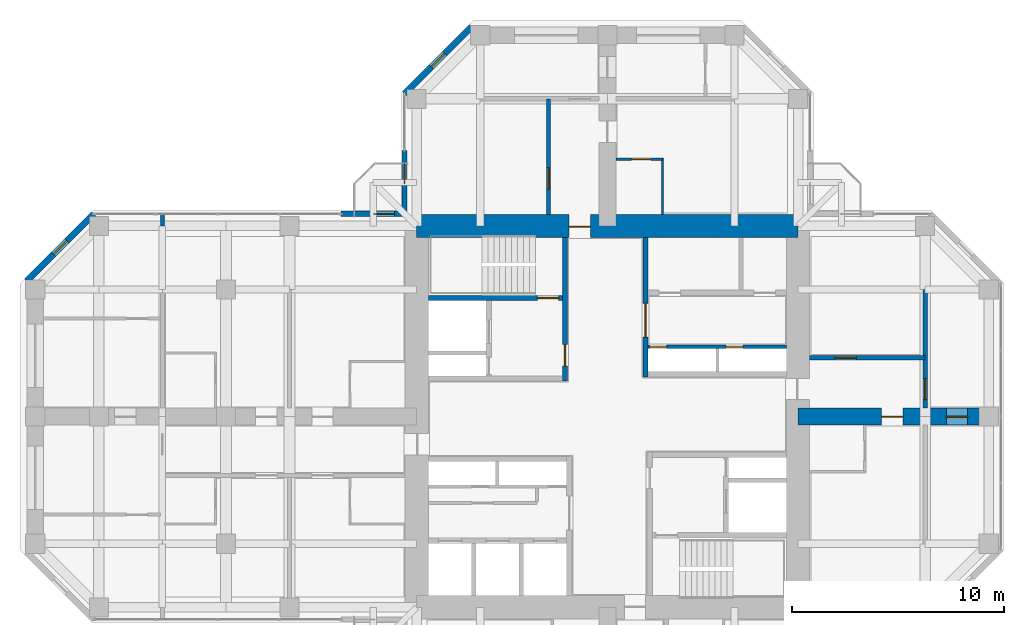
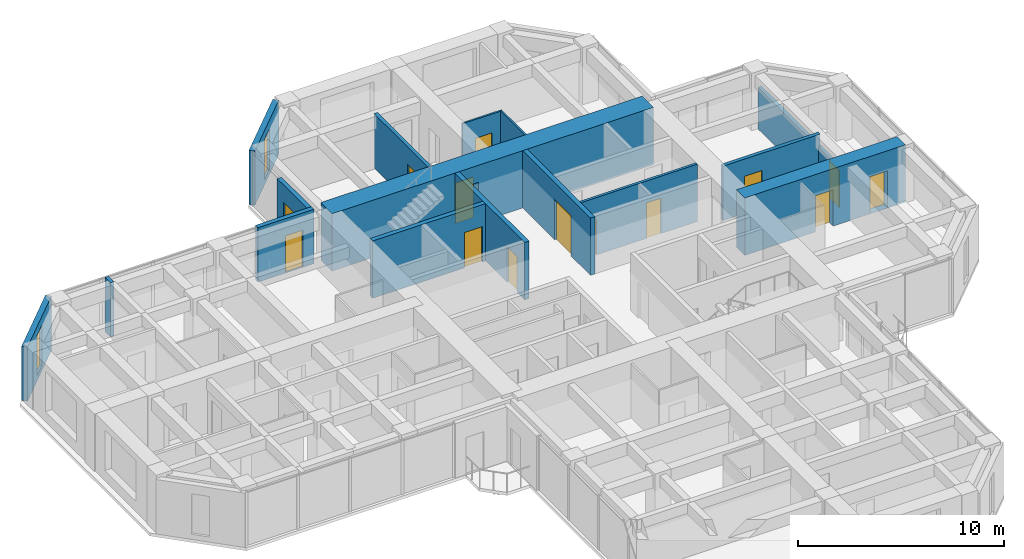
# One storey, part 11 of 13: 16 walls, 14 doors, 2 windows, 16 openings.
"""IFC4 building model written with IfcOpenShell, lengths in metres."""

import ifcopenshell
import ifcopenshell.guid

model = None  # the IFC model being written
_history = None  # IfcOwnerHistory: only IFC2X3 demands one
_inside = {}  # id of a spatial element -> (the spatial element, [elements in it])
_under = {}  # id of a project, library or spatial element -> (it, [spatial elements below it])
_declared = {}  # id of a project -> (the project, [libraries it declares])
_typed = {}  # id of a type object -> (the type object, [elements of that type])
_made_of = {}  # id of a material, layer set ... -> (it, [elements and type objects made of it])


def new_model(schema):
    """Start an empty IFC model of exactly this schema.

    Asked for "IFC4X3", IfcOpenShell would pick the latest addendum, in which some entities
    have other attributes; the version numbers below select the first issue.
    IFC2X3 requires an IfcOwnerHistory on every rooted entity: one is made here for all.
    """
    global model, _history
    if schema == "IFC4X3":
        model = ifcopenshell.file(schema_version=(4, 3, 0, 0))
    else:
        model = ifcopenshell.file(schema=schema)
    _inside.clear()
    _under.clear()
    _declared.clear()
    _typed.clear()
    _made_of.clear()
    _history = None
    if model.schema == "IFC2X3":
        org = make("IfcOrganization", Name="unknown")
        user = make(
            "IfcPersonAndOrganization",
            ThePerson=make("IfcPerson", FamilyName="unknown"),
            TheOrganization=org,
        )
        app = make(
            "IfcApplication",
            ApplicationDeveloper=org,
            Version="unknown",
            ApplicationFullName="unknown",
            ApplicationIdentifier="unknown",
        )
        _history = make(
            "IfcOwnerHistory",
            OwningUser=user,
            OwningApplication=app,
            ChangeAction="ADDED",
            CreationDate=0,
        )
    return model


def make(cls, **values):
    """One entity of the class cls with the attributes given. An attribute that is None is left unset."""
    return model.create_entity(
        cls, **{name: value for name, value in values.items() if value is not None}
    )


def rooted(cls, **values):
    """An entity with a GlobalId (a new one), such as an element, a storey or a relation."""
    return make(cls, GlobalId=ifcopenshell.guid.new(), OwnerHistory=_history, **values)


def si_unit(unit_type, name, prefix=None):
    """IfcSIUnit, for example si_unit("LENGTHUNIT", "METRE", prefix="MILLI")."""
    return make("IfcSIUnit", UnitType=unit_type, Prefix=prefix, Name=name)


def assignment(units):
    """IfcUnitAssignment: the units of a project."""
    return None if units is None else make("IfcUnitAssignment", Units=units)


def point(xyz):
    """IfcCartesianPoint."""
    return None if xyz is None else make("IfcCartesianPoint", Coordinates=xyz)


def direction(xyz):
    """IfcDirection."""
    return None if xyz is None else make("IfcDirection", DirectionRatios=xyz)


def frame(location, z_axis=None, x_axis=None):
    """IfcAxis2Placement3D, a coordinate frame: its origin and axes. An axis left out is left unset."""
    return make(
        "IfcAxis2Placement3D",
        Location=point(location),
        Axis=direction(z_axis),
        RefDirection=direction(x_axis),
    )


def frame_2d(location, x_axis=None):
    """IfcAxis2Placement2D, a coordinate frame in the plane: its origin and x axis."""
    return make(
        "IfcAxis2Placement2D", Location=point(location), RefDirection=direction(x_axis)
    )


def origin():
    """The frame at (0, 0, 0) with its axes left unset."""
    return frame((0.0, 0.0, 0.0))


def place(relative_to, where):
    """IfcLocalPlacement: puts the frame where relative to a parent placement (None: the world)."""
    return make(
        "IfcLocalPlacement", PlacementRelTo=relative_to, RelativePlacement=where
    )


def context(
    kind, dimensions, precision=None, world=None, true_north=None, identifier=None
):
    """IfcGeometricRepresentationContext, for example the 3D "Model" context."""
    return make(
        "IfcGeometricRepresentationContext",
        ContextIdentifier=identifier,
        ContextType=kind,
        CoordinateSpaceDimension=dimensions,
        Precision=precision,
        WorldCoordinateSystem=world,
        TrueNorth=true_north,
    )


def subcontext(parent, identifier, kind, view, scale=None):
    """IfcGeometricRepresentationSubContext, for example "Body" below "Model"."""
    return make(
        "IfcGeometricRepresentationSubContext",
        ContextIdentifier=identifier,
        ContextType=kind,
        ParentContext=parent,
        TargetScale=scale,
        TargetView=view,
    )


def project(units=None, contexts=None):
    """IfcProject with its units and contexts."""
    return rooted(
        "IfcProject",
        Name="project",
        RepresentationContexts=contexts,
        UnitsInContext=assignment(units),
    )


def spatial(cls, under=None, at=None, **own):
    """A site, building, storey or space (cls), placed at a placement, below another one or the project."""
    s = rooted(cls, ObjectPlacement=at, **own)
    if under is not None:
        _under.setdefault(under.id(), (under, []))[1].append(s)
    return s


def profile(cls, at=None, kind="AREA", **sizes):
    """A parametric profile (cls). Its sizes go by their IFC names, for example OverallWidth=200.0."""
    return make(cls, ProfileType=kind, Position=at, **sizes)


def rectangle(**sizes):
    """IfcRectangleProfileDef."""
    return profile("IfcRectangleProfileDef", **sizes)


def hollow_rectangle(**sizes):
    """IfcRectangleHollowProfileDef."""
    return profile("IfcRectangleHollowProfileDef", **sizes)


def extrude(swept, where, along, depth):
    """IfcExtrudedAreaSolid: the profile swept, set in the frame where, extruded along a direction by depth."""
    return make(
        "IfcExtrudedAreaSolid",
        SweptArea=swept,
        Position=where,
        ExtrudedDirection=direction(along),
        Depth=depth,
    )


def shape(context_of_items, identifier, shape_type, items):
    """IfcShapeRepresentation: the items that make up one representation, for example the "Body"."""
    return make(
        "IfcShapeRepresentation",
        ContextOfItems=context_of_items,
        RepresentationIdentifier=identifier,
        RepresentationType=shape_type,
        Items=items,
    )


def material(Name=None, Category=None):
    """IfcMaterial."""
    return make("IfcMaterial", Name=Name, Category=Category)


def layer(
    of_material, thickness, ventilated=None, Name=None, Category=None, Priority=None
):
    """IfcMaterialLayer: one layer of a wall or slab, of a material (None: an air gap)."""
    return make(
        "IfcMaterialLayer",
        Material=of_material,
        LayerThickness=thickness,
        IsVentilated=ventilated,
        Name=Name,
        Category=Category,
        Priority=Priority,
    )


def layer_set(layers, Name=None):
    """IfcMaterialLayerSet."""
    return make("IfcMaterialLayerSet", MaterialLayers=layers, LayerSetName=Name)


def constituent(of_material, Name=None, Category=None, fraction=None):
    """IfcMaterialConstituent: one of the materials an element consists of."""
    return make(
        "IfcMaterialConstituent",
        Name=Name,
        Material=of_material,
        Fraction=fraction,
        Category=Category,
    )


def constituent_set(constituents=None, Name=None):
    """IfcMaterialConstituentSet."""
    return make(
        "IfcMaterialConstituentSet", Name=Name, MaterialConstituents=constituents
    )


def made_of(thing, what):
    """Note that an element or type object is made of a material, layer set ...; save() writes the relation."""
    if what is not None:
        _made_of.setdefault(what.id(), (what, []))[1].append(thing)
    return thing


def type_object(cls, material=None, **own):
    """A type object (cls), such as IfcWallType, which elements share."""
    return made_of(rooted(cls, **own), material)


def element(
    cls,
    number,
    at=None,
    inside=None,
    cuts=None,
    type_object=None,
    material=None,
    context=None,
    identifier="Body",
    shape_type=None,
    held_by="IfcProductDefinitionShape",
    body=None,
    shapes=None,
    **own,
):
    """One element of the class cls, such as IfcWall. Its Tag is "e" and its number.

    at: its placement. inside: the storey or other place that contains it. cuts: it is an
    opening in that element (IfcRelVoidsElement). A single representation is given by context,
    identifier, shape_type and body (its items); several are given by shapes. held_by: the class
    of the entity that holds the representations. save() writes the other relations.
    """
    e = rooted(cls, Tag="e%d" % number, ObjectPlacement=at, **own)
    if body is not None:
        shapes = [shape(context, identifier, shape_type, body)]
    if shapes is not None:
        e.Representation = make(held_by, Representations=shapes)
    if inside is not None:
        _inside.setdefault(inside.id(), (inside, []))[1].append(e)
    if cuts is not None:
        rooted(
            "IfcRelVoidsElement", RelatingBuildingElement=cuts, RelatedOpeningElement=e
        )
    if type_object is not None:
        _typed.setdefault(type_object.id(), (type_object, []))[1].append(e)
    return made_of(e, material)


def fill(opening, filler):
    """IfcRelFillsElement: the door or window that sits in an opening."""
    return rooted(
        "IfcRelFillsElement",
        RelatingOpeningElement=opening,
        RelatedBuildingElement=filler,
    )


def aggregate(whole, parts):
    """IfcRelAggregates: a whole, such as a stair, and the parts it consists of."""
    return rooted("IfcRelAggregates", RelatingObject=whole, RelatedObjects=parts)


def save(model, path):
    """Write the relations noted so far, then the file.

    IfcRelAggregates (storeys below a building ...), IfcRelContainedInSpatialStructure (elements
    in a storey), IfcRelDefinesByType, IfcRelAssociatesMaterial and IfcRelDeclares: one each for
    every whole, place, type object, material and project.
    """
    for whole, parts in _under.values():
        aggregate(whole, parts)
    for where, things in _inside.values():
        rooted(
            "IfcRelContainedInSpatialStructure",
            RelatedElements=things,
            RelatingStructure=where,
        )
    for kind, things in _typed.values():
        rooted("IfcRelDefinesByType", RelatedObjects=things, RelatingType=kind)
    for what, things in _made_of.values():
        rooted("IfcRelAssociatesMaterial", RelatedObjects=things, RelatingMaterial=what)
    for by, libraries in _declared.values():
        rooted("IfcRelDeclares", RelatingContext=by, RelatedDefinitions=libraries)
    model.write(path)


model = new_model("IFC4")

# Units and contexts
model_context = context("Model", 3, precision=1e-05, world=origin(), true_north=direction((0.0, 1.0)))
body_context = subcontext(model_context, "Body", "Model", "MODEL_VIEW")
ifc_project = project(units=[si_unit("LENGTHUNIT", "METRE"), si_unit("AREAUNIT", "SQUARE_METRE"), si_unit("VOLUMEUNIT", "CUBIC_METRE"), si_unit("PLANEANGLEUNIT", "RADIAN"), si_unit("MASSUNIT", "GRAM", prefix="KILO")], contexts=[model_context])

# Site, building, storey
site_placement = place(None, origin())
site = spatial("IfcSite", under=ifc_project, at=site_placement, CompositionType="ELEMENT")
building_placement = place(site_placement, origin())
building = spatial("IfcBuilding", under=site, at=building_placement, Name="Torre Cruceta", CompositionType="ELEMENT")
storey_placement = place(building_placement, frame((0.0, 0.0, 189.89990234375)))
storey = spatial("IfcBuildingStorey", under=building, at=storey_placement, Name="L47", CompositionType="ELEMENT", Elevation=189.89990234375)

# Wall
ifc_material_1 = material(Name="Water-resistant plasterboard on steel studs", Category="steel")
ifc_layer_1 = layer(ifc_material_1, 0.10009765625)
ifc_layer_set_1 = layer_set([ifc_layer_1], Name="Water-resistant plasterboard on steel studs")
wall_type_1 = type_object("IfcWallType", Name="BATHROOM WALL 100", PredefinedType="PARTITIONING", material=ifc_layer_set_1)
wall_1_placement = place(storey_placement, frame((2.60009765625, 9.550048828125, 0.0), z_axis=(0.0, 0.0, 1.0), x_axis=(0.0, 1.0, 0.0)))
element("IfcWall", 1, at=wall_1_placement, inside=storey, type_object=wall_type_1, Name="PT4 L47-N-U1RBB", PredefinedType="PARTITIONING", context=body_context, shape_type="SweptSolid", body=[
    extrude(rectangle(XDim=2.64990234375, YDim=0.10009765625, at=frame_2d((1.324951171875, 0.0))), origin(), (0.0, 0.0, 1.0), 3.22021484375),
])

# Wall, opening, door
wall_2_placement = place(storey_placement, frame((2.60009765625, 12.14990234375, 0.0), z_axis=(0.0, 0.0, 1.0), x_axis=(-1.0, 0.0, 0.0)))
wall_2 = element("IfcWall", 2, at=wall_2_placement, inside=storey, type_object=wall_type_1, Name="PT4 L47-N-U1RBS", PredefinedType="PARTITIONING", context=body_context, shape_type="SweptSolid", body=[
    extrude(rectangle(XDim=2.2001953125, YDim=0.10009765625, at=frame_2d((1.10009765625, 0.0))), origin(), (0.0, 0.0, 1.0), 3.22021484375),
])
opening_1_placement = place(wall_2_placement, frame((0.550048828125, 0.0, 0.0)))
opening_1 = element("IfcOpeningElement", 3, at=opening_1_placement, cuts=wall_2, Name="Opening D7", PredefinedType="OPENING", context=body_context, shape_type="SweptSolid", body=[
    extrude(rectangle(XDim=0.89990234375, YDim=2.10009765625, at=frame_2d((0.449951171875, 1.050048828125))), frame((0.0, 0.06005859375, 0.0), z_axis=(0.0, -1.0, 0.0), x_axis=(1.0, 0.0, 0.0)), (0.0, 0.0, 1.0), 0.1201171875),
])
ifc_material_2 = material(Name="Timber door", Category="wood")
door_type_1 = type_object("IfcDoorType", Name="BATHROOM DOOR 900X2100", OperationType="SINGLE_SWING_LEFT", PredefinedType="DOOR", material=ifc_material_2)
door_1_placement = place(opening_1_placement, origin())
door_1 = element("IfcDoor", 4, at=door_1_placement, inside=storey, type_object=door_type_1, Name="D7 L47-N-U1RBS-D1", OperationType="SINGLE_SWING_LEFT", OverallHeight=2.10009765625, OverallWidth=0.89990234375, PredefinedType="DOOR", context=body_context, shape_type="SweptSolid", body=[
    extrude(rectangle(XDim=0.89990234375, YDim=2.10009765625, at=frame_2d((0.449951171875, 1.050048828125))), frame((0.0, 0.02490234375, 0.0), z_axis=(0.0, -1.0, 0.0), x_axis=(1.0, 0.0, 0.0)), (0.0, 0.0, 1.0), 0.050048828125),
])
fill(opening_1, door_1)

ifc_material_3 = material(Name="Concrete G60 (fck 60 MPa)", Category="concrete")
ifc_layer_2 = layer(ifc_material_3, 0.25)
ifc_layer_set_2 = layer_set([ifc_layer_2], Name="Concrete G60 (fck 60 MPa)")
wall_type_2 = type_object("IfcWallType", Name="CORE INNER WALL 250 G60", PredefinedType="SHEAR", material=ifc_layer_set_2)
wall_3_placement = place(storey_placement, frame((1.800048828125, 1.875, 0.0), z_axis=(0.0, 0.0, 1.0), x_axis=(0.0, 1.0, 0.0)))
wall_3 = element("IfcWall", 5, at=wall_3_placement, inside=storey, type_object=wall_type_2, Name="CW4 L47 NE-CU", PredefinedType="SHEAR", context=body_context, shape_type="SweptSolid", body=[
    extrude(rectangle(XDim=6.574951171875, YDim=0.25, at=frame_2d((3.28759765625, 0.0))), origin(), (0.0, 0.0, 1.0), 3.400146484375),
])
opening_2_placement = place(wall_3_placement, frame((1.875, 0.0, 0.0)))
opening_2 = element("IfcOpeningElement", 6, at=opening_2_placement, cuts=wall_3, Name="Opening D15", PredefinedType="OPENING", context=body_context, shape_type="SweptSolid", body=[
    extrude(rectangle(XDim=1.60009765625, YDim=2.39990234375, at=frame_2d((0.800048828125, 1.199951171875))), frame((0.0, 0.135009765625, 0.0), z_axis=(0.0, -1.0, 0.0), x_axis=(1.0, 0.0, 0.0)), (0.0, 0.0, 1.0), 0.27001953125),
])
ifc_material_4 = material(Name="Steel DX51D", Category="steel")
ifc_constituent_1 = constituent(ifc_material_4, Name="Leaf and frame")
ifc_material_5 = material(Name="Polyester powder coating", Category="paint")
ifc_constituent_2 = constituent(ifc_material_5, Name="Finish")
ifc_constituent_set_1 = constituent_set(constituents=[ifc_constituent_1, ifc_constituent_2], Name="Steel fire door")
door_type_2 = type_object("IfcDoorType", Name="CORE ROOM DOUBLE DOOR 1600X2400", OperationType="DOUBLE_DOOR_SINGLE_SWING", PredefinedType="DOOR", material=ifc_constituent_set_1)
door_2_placement = place(opening_2_placement, frame((1.60009765625, 0.0, 0.0), z_axis=(0.0, 0.0, 1.0), x_axis=(-1.0, 0.0, 0.0)))
door_2 = element("IfcDoor", 7, at=door_2_placement, inside=storey, type_object=door_type_2, Name="D15 L47 NE-LOBBY", OperationType="DOUBLE_DOOR_SINGLE_SWING", OverallHeight=2.39990234375, OverallWidth=1.60009765625, PredefinedType="DOOR", context=body_context, shape_type="SweptSolid", body=[
    extrude(rectangle(XDim=1.60009765625, YDim=2.39990234375, at=frame_2d((0.800048828125, 1.199951171875))), frame((0.0, 0.025146484375, 0.0), z_axis=(0.0, -1.0, 0.0), x_axis=(1.0, 0.0, 0.0)), (0.0, 0.0, 1.0), 0.050048828125),
])
fill(opening_2, door_2)

wall_4_placement = place(storey_placement, frame((-2.0, 1.675048828125, 0.0), z_axis=(0.0, 0.0, 1.0), x_axis=(0.0, 1.0, 0.0)))
wall_4 = element("IfcWall", 8, at=wall_4_placement, inside=storey, type_object=wall_type_2, Name="CW4 L47 NW-CU", PredefinedType="SHEAR", context=body_context, shape_type="SweptSolid", body=[
    extrude(rectangle(XDim=6.77490234375, YDim=0.25, at=frame_2d((3.387451171875, 0.0))), origin(), (0.0, 0.0, 1.0), 3.400146484375),
])
opening_3_placement = place(wall_4_placement, frame((0.72509765625, 0.0, 0.0)))
opening_3 = element("IfcOpeningElement", 9, at=opening_3_placement, cuts=wall_4, Name="Opening D3", PredefinedType="OPENING", context=body_context, shape_type="SweptSolid", body=[
    extrude(rectangle(XDim=1.0, YDim=2.10009765625, at=frame_2d((0.5, 1.050048828125))), frame((0.0, 0.135009765625, 0.0), z_axis=(0.0, -1.0, 0.0), x_axis=(1.0, 0.0, 0.0)), (0.0, 0.0, 1.0), 0.27001953125),
])
ifc_material_6 = material(Name="Steel DX51D", Category="steel")
ifc_constituent_3 = constituent(ifc_material_6, Name="Leaf and frame")
ifc_material_7 = material(Name="Polyester powder coating", Category="paint")
ifc_constituent_4 = constituent(ifc_material_7, Name="Finish")
ifc_constituent_set_2 = constituent_set(constituents=[ifc_constituent_3, ifc_constituent_4], Name="Steel fire door")
door_type_3 = type_object("IfcDoorType", Name="FIRE DOOR 1000X2100", OperationType="SINGLE_SWING_LEFT", PredefinedType="DOOR", material=ifc_constituent_set_2)
door_3_placement = place(opening_3_placement, origin())
door_3 = element("IfcDoor", 10, at=door_3_placement, inside=storey, type_object=door_type_3, Name="D3 L47 NW-LOBBY", OperationType="SINGLE_SWING_LEFT", OverallHeight=2.10009765625, OverallWidth=1.0, PredefinedType="DOOR", context=body_context, shape_type="SweptSolid", body=[
    extrude(rectangle(XDim=1.0, YDim=2.10009765625, at=frame_2d((0.5, 1.050048828125))), frame((0.0, 0.02490234375, 0.0), z_axis=(0.0, -1.0, 0.0), x_axis=(1.0, 0.0, 0.0)), (0.0, 0.0, 1.0), 0.050048828125),
])
fill(opening_3, door_3)

wall_5_placement = place(storey_placement, frame((-2.125, 5.60009765625, 0.0), z_axis=(0.0, 0.0, 1.0), x_axis=(-1.0, 0.0, 0.0)))
wall_5 = element("IfcWall", 11, at=wall_5_placement, inside=storey, type_object=wall_type_2, Name="CW4 L47 NW-SV", PredefinedType="SHEAR", context=body_context, shape_type="SweptSolid", body=[
    extrude(rectangle(XDim=6.324951171875, YDim=0.25, at=frame_2d((3.16259765625, 0.0))), origin(), (0.0, 0.0, 1.0), 3.400146484375),
])
opening_4_placement = place(wall_5_placement, frame((0.175048828125, 0.0, 0.0)))
opening_4 = element("IfcOpeningElement", 12, at=opening_4_placement, cuts=wall_5, Name="Opening D3", PredefinedType="OPENING", context=body_context, shape_type="SweptSolid", body=[
    extrude(rectangle(XDim=1.0, YDim=2.10009765625, at=frame_2d((0.5, 1.050048828125))), frame((0.0, 0.135009765625, 0.0), z_axis=(0.0, -1.0, 0.0), x_axis=(1.0, 0.0, 0.0)), (0.0, 0.0, 1.0), 0.27001953125),
])
door_4_placement = place(opening_4_placement, frame((1.0, 0.0, 0.0), z_axis=(0.0, 0.0, 1.0), x_axis=(-1.0, 0.0, 0.0)))
door_4 = element("IfcDoor", 13, at=door_4_placement, inside=storey, type_object=door_type_3, Name="D3 L47 NW-STAIR", OperationType="SINGLE_SWING_RIGHT", OverallHeight=2.10009765625, OverallWidth=1.0, PredefinedType="DOOR", context=body_context, shape_type="SweptSolid", body=[
    extrude(rectangle(XDim=1.0, YDim=2.10009765625, at=frame_2d((0.5, 1.050048828125))), frame((0.0, 0.025146484375, 0.0), z_axis=(0.0, -1.0, 0.0), x_axis=(1.0, 0.0, 0.0)), (0.0, 0.0, 1.0), 0.050048828125),
])
fill(opening_4, door_4)

ifc_material_8 = material(Name="Concrete G60 (fck 60 MPa)", Category="concrete")
ifc_layer_3 = layer(ifc_material_8, 1.10009765625)
ifc_layer_set_3 = layer_set([ifc_layer_3], Name="Concrete G60 (fck 60 MPa)")
wall_type_3 = type_object("IfcWallType", Name="CORE WALL 1100 G60", PredefinedType="SHEAR", material=ifc_layer_set_3)
wall_6_placement = place(storey_placement, frame((9.0, 9.0, 0.0), z_axis=(0.0, 0.0, 1.0), x_axis=(-1.0, 0.0, 0.0)))
wall_6 = element("IfcWall", 14, at=wall_6_placement, inside=storey, type_object=wall_type_3, Name="CW2 L47 CW-N", PredefinedType="SHEAR", context=body_context, shape_type="SweptSolid", body=[
    extrude(rectangle(XDim=18.0, YDim=1.10009765625, at=frame_2d((9.0, 0.0))), origin(), (0.0, 0.0, 1.0), 3.400146484375),
])
opening_5_placement = place(wall_6_placement, frame((9.800048828125, 0.0, 0.0)))
opening_5 = element("IfcOpeningElement", 15, at=opening_5_placement, cuts=wall_6, Name="Opening D4", PredefinedType="OPENING", context=body_context, shape_type="SweptSolid", body=[
    extrude(rectangle(XDim=1.0, YDim=2.39990234375, at=frame_2d((0.5, 1.199951171875))), frame((0.0, 0.56005859375, 0.0), z_axis=(0.0, -1.0, 0.0), x_axis=(1.0, 0.0, 0.0)), (0.0, 0.0, 1.0), 1.1201171875),
])
ifc_material_9 = material(Name="Steel DX51D", Category="steel")
ifc_constituent_5 = constituent(ifc_material_9, Name="Leaf and frame")
ifc_material_10 = material(Name="Polyester powder coating", Category="paint")
ifc_constituent_6 = constituent(ifc_material_10, Name="Finish")
ifc_constituent_set_3 = constituent_set(constituents=[ifc_constituent_5, ifc_constituent_6], Name="Steel fire door")
door_type_4 = type_object("IfcDoorType", Name="CORE ARM DOOR 1000X2400", OperationType="SINGLE_SWING_RIGHT", PredefinedType="DOOR", material=ifc_constituent_set_3)
door_5_placement = place(opening_5_placement, origin())
door_5 = element("IfcDoor", 16, at=door_5_placement, inside=storey, type_object=door_type_4, Name="D4 L47 CW-N", OperationType="SINGLE_SWING_RIGHT", OverallHeight=2.39990234375, OverallWidth=1.0, PredefinedType="DOOR", context=body_context, shape_type="SweptSolid", body=[
    extrude(rectangle(XDim=1.0, YDim=2.39990234375, at=frame_2d((0.5, 1.199951171875))), frame((0.0, 0.05517578125, 0.0), z_axis=(0.0, -1.0, 0.0), x_axis=(1.0, 0.0, 0.0)), (0.0, 0.0, 1.0), 0.050048828125),
])
fill(opening_5, door_5)

ifc_material_11 = material(Name="Concrete G25 (fck 25 MPa)", Category="concrete")
ifc_layer_4 = layer(ifc_material_11, 0.199951171875)
ifc_layer_set_4 = layer_set([ifc_layer_4], Name="Concrete G25 (fck 25 MPa)")
wall_type_4 = type_object("IfcWallType", Name="CORRIDOR WALL 200", PredefinedType="SOLIDWALL", material=ifc_layer_set_4)
wall_7_placement = place(storey_placement, frame((-2.77490234375, 9.550048828125, 0.0), z_axis=(0.0, 0.0, 1.0), x_axis=(0.0, 1.0, 0.0)))
wall_7 = element("IfcWall", 17, at=wall_7_placement, inside=storey, type_object=wall_type_4, Name="PT3 L47-N-CL", PredefinedType="SOLIDWALL", context=body_context, shape_type="SweptSolid", body=[
    extrude(rectangle(XDim=5.449951171875, YDim=0.199951171875, at=frame_2d((2.72509765625, 0.0))), origin(), (0.0, 0.0, 1.0), 3.22021484375),
])
opening_6_placement = place(wall_7_placement, frame((1.199951171875, 0.0, 0.0)))
opening_6 = element("IfcOpeningElement", 18, at=opening_6_placement, cuts=wall_7, Name="Opening D14", PredefinedType="OPENING", context=body_context, shape_type="SweptSolid", body=[
    extrude(rectangle(XDim=1.0, YDim=2.199951171875, at=frame_2d((0.5, 1.10009765625))), frame((0.0, 0.10986328125, 0.0), z_axis=(0.0, -1.0, 0.0), x_axis=(1.0, 0.0, 0.0)), (0.0, 0.0, 1.0), 0.219970703125),
])
ifc_material_12 = material(Name="Steel DX51D", Category="steel")
ifc_constituent_7 = constituent(ifc_material_12, Name="Leaf and frame")
ifc_material_13 = material(Name="Polyester powder coating", Category="paint")
ifc_constituent_8 = constituent(ifc_material_13, Name="Finish")
ifc_material_14 = material(Name="Fire-resisting glass", Category="glass")
ifc_constituent_9 = constituent(ifc_material_14, Name="Vision panel")
ifc_constituent_set_4 = constituent_set(constituents=[ifc_constituent_7, ifc_constituent_8, ifc_constituent_9], Name="Steel fire door with vision panel")
door_type_5 = type_object("IfcDoorType", Name="FIRE DOOR VISION PANEL 1000X2200", OperationType="SINGLE_SWING_RIGHT", PredefinedType="DOOR", material=ifc_constituent_set_4)
door_6_placement = place(opening_6_placement, origin())
door_6 = element("IfcDoor", 19, at=door_6_placement, inside=storey, type_object=door_type_5, Name="D14 L47-N-CL-D1", OperationType="SINGLE_SWING_LEFT", OverallHeight=2.199951171875, OverallWidth=1.0, PredefinedType="DOOR", context=body_context, shape_type="SweptSolid", body=[
    extrude(rectangle(XDim=1.0, YDim=2.199951171875, at=frame_2d((0.5, 1.10009765625))), frame((0.0, 0.02490234375, 0.0), z_axis=(0.0, -1.0, 0.0), x_axis=(1.0, 0.0, 0.0)), (0.0, 0.0, 1.0), 0.050048828125),
])
fill(opening_6, door_6)

wall_8_placement = place(storey_placement, frame((9.550048828125, 2.77490234375, 0.0), z_axis=(0.0, 0.0, 1.0), x_axis=(1.0, 0.0, 0.0)))
wall_8 = element("IfcWall", 20, at=wall_8_placement, inside=storey, type_object=wall_type_4, Name="PT3 L47-E-CL", PredefinedType="SOLIDWALL", context=body_context, shape_type="SweptSolid", body=[
    extrude(rectangle(XDim=5.449951171875, YDim=0.199951171875, at=frame_2d((2.72509765625, 0.0))), origin(), (0.0, 0.0, 1.0), 3.22021484375),
])
opening_7_placement = place(wall_8_placement, frame((1.199951171875, 0.0, 0.0)))
opening_7 = element("IfcOpeningElement", 21, at=opening_7_placement, cuts=wall_8, Name="Opening D14", PredefinedType="OPENING", context=body_context, shape_type="SweptSolid", body=[
    extrude(rectangle(XDim=1.0, YDim=2.199951171875, at=frame_2d((0.5, 1.10009765625))), frame((0.0, 0.10986328125, 0.0), z_axis=(0.0, -1.0, 0.0), x_axis=(1.0, 0.0, 0.0)), (0.0, 0.0, 1.0), 0.219970703125),
])
door_7_placement = place(opening_7_placement, origin())
door_7 = element("IfcDoor", 22, at=door_7_placement, inside=storey, type_object=door_type_5, Name="D14 L47-E-CL-D1", OperationType="SINGLE_SWING_LEFT", OverallHeight=2.199951171875, OverallWidth=1.0, PredefinedType="DOOR", context=body_context, shape_type="SweptSolid", body=[
    extrude(rectangle(XDim=1.0, YDim=2.199951171875, at=frame_2d((0.5, 1.10009765625))), frame((0.0, 0.02490234375, 0.0), z_axis=(0.0, -1.0, 0.0), x_axis=(1.0, 0.0, 0.0)), (0.0, 0.0, 1.0), 0.050048828125),
])
fill(opening_7, door_7)

# Wall, opening, window
ifc_material_15 = material(Name="Concrete G30 (fck 30 MPa)", Category="concrete")
ifc_layer_5 = layer(ifc_material_15, 0.300048828125)
ifc_layer_set_5 = layer_set([ifc_layer_5], Name="Concrete G30 (fck 30 MPa)")
wall_type_5 = type_object("IfcWallType", Name="EXPOSED CONCRETE FACADE WALL 300", PredefinedType="SOLIDWALL", material=ifc_layer_set_5)
wall_9_placement = place(storey_placement, frame((-6.406005859375, 18.39990234375, 0.0), z_axis=(0.0, 0.0, 1.0), x_axis=(-0.707134062067, -0.707079499254, 0.0)))
wall_9 = element("IfcWall", 23, at=wall_9_placement, inside=storey, type_object=wall_type_5, Name="EW1 facade wall L47 N chamfer 08", PredefinedType="SOLIDWALL", context=body_context, shape_type="SweptSolid", body=[
    extrude(rectangle(XDim=4.474609375, YDim=0.300048828125, at=frame_2d((2.2373046875, 0.0))), origin(), (0.0, 0.0, 1.0), 3.22021484375),
])
opening_8_placement = place(wall_9_placement, frame((1.787109375, 0.0, 0.300048828125)))
opening_8 = element("IfcOpeningElement", 24, at=opening_8_placement, cuts=wall_9, Name="Opening WN5", PredefinedType="OPENING", context=body_context, shape_type="SweptSolid", body=[
    extrude(rectangle(XDim=0.89990234375, YDim=2.39990234375, at=frame_2d((0.449951171875, 1.199951171875))), frame((0.0, 0.159912109375, 0.0), z_axis=(0.0, -1.0, 0.0), x_axis=(1.0, 0.0, 0.0)), (0.0, 0.0, 1.0), 0.320068359375),
])
ifc_material_16 = material(Name="Aluminium window frame", Category="aluminium")
ifc_constituent_10 = constituent(ifc_material_16, Name="Frame")
ifc_material_17 = material(Name="Laminated insulating glass unit, low-iron clear", Category="glass")
ifc_constituent_11 = constituent(ifc_material_17, Name="Glazing")
ifc_constituent_set_5 = constituent_set(constituents=[ifc_constituent_10, ifc_constituent_11], Name="Aluminium window")
window_type = type_object("IfcWindowType", Name="CHAMFER SLOT WINDOW 900X2400", PartitioningType="SINGLE_PANEL", PredefinedType="WINDOW", material=ifc_constituent_set_5)
window_1_placement = place(opening_8_placement, origin())
window_1 = element("IfcWindow", 25, at=window_1_placement, inside=storey, type_object=window_type, Name="WN5 L47 N 1", OverallHeight=2.39990234375, OverallWidth=0.89990234375, PartitioningType="SINGLE_PANEL", PredefinedType="WINDOW", context=body_context, shape_type="SweptSolid", body=[
    extrude(hollow_rectangle(XDim=0.89990234375, YDim=2.39990234375, WallThickness=0.06005859375, at=frame_2d((0.449951171875, 1.199951171875))), frame((0.0, 0.030029296875, 0.0), z_axis=(0.0, -1.0, 0.0), x_axis=(1.0, 0.0, 0.0)), (0.0, 0.0, 1.0), 0.06005859375),
    extrude(rectangle(XDim=0.77880859375, YDim=2.27880859375, at=frame_2d((0.449951171875, 1.199951171875))), frame((0.0, 0.030029296875, 0.0), z_axis=(0.0, -1.0, 0.0), x_axis=(1.0, 0.0, 0.0)), (0.0, 0.0, 1.0), 0.06005859375),
])
fill(opening_8, window_1)

wall_10_placement = place(storey_placement, frame((-24.236083984375, 9.570068359375, 0.0), z_axis=(0.0, 0.0, 1.0), x_axis=(-0.707079499254, -0.707134062067, 0.0)))
wall_10 = element("IfcWall", 26, at=wall_10_placement, inside=storey, type_object=wall_type_5, Name="EW1 facade wall L47 W chamfer 11", PredefinedType="SOLIDWALL", context=body_context, shape_type="SweptSolid", body=[
    extrude(rectangle(XDim=4.474609375, YDim=0.300048828125, at=frame_2d((2.2373046875, 0.0))), origin(), (0.0, 0.0, 1.0), 3.22021484375),
])
opening_9_placement = place(wall_10_placement, frame((1.787109375, 0.0, 0.300048828125)))
opening_9 = element("IfcOpeningElement", 27, at=opening_9_placement, cuts=wall_10, Name="Opening WN5", PredefinedType="OPENING", context=body_context, shape_type="SweptSolid", body=[
    extrude(rectangle(XDim=0.89990234375, YDim=2.39990234375, at=frame_2d((0.449951171875, 1.199951171875))), frame((0.0, 0.159912109375, 0.0), z_axis=(0.0, -1.0, 0.0), x_axis=(1.0, 0.0, 0.0)), (0.0, 0.0, 1.0), 0.320068359375),
])
window_2_placement = place(opening_9_placement, origin())
window_2 = element("IfcWindow", 28, at=window_2_placement, inside=storey, type_object=window_type, Name="WN5 L47 W 1", OverallHeight=2.39990234375, OverallWidth=0.89990234375, PartitioningType="SINGLE_PANEL", PredefinedType="WINDOW", context=body_context, shape_type="SweptSolid", body=[
    extrude(hollow_rectangle(XDim=0.89990234375, YDim=2.39990234375, WallThickness=0.06005859375, at=frame_2d((0.449951171875, 1.199951171875))), frame((0.0, 0.030029296875, 0.0), z_axis=(0.0, -1.0, 0.0), x_axis=(1.0, 0.0, 0.0)), (0.0, 0.0, 1.0), 0.06005859375),
    extrude(rectangle(XDim=0.77880859375, YDim=2.27880859375, at=frame_2d((0.449951171875, 1.199951171875))), frame((0.0, 0.030029296875, 0.0), z_axis=(0.0, -1.0, 0.0), x_axis=(1.0, 0.0, 0.0)), (0.0, 0.0, 1.0), 0.06005859375),
])
fill(opening_9, window_2)

# Wall, openings, doors
ifc_material_18 = material(Name="Concrete block masonry", Category="masonry")
ifc_layer_6 = layer(ifc_material_18, 0.14990234375)
ifc_layer_set_6 = layer_set([ifc_layer_6], Name="Concrete block masonry")
wall_type_6 = type_object("IfcWallType", Name="RISER WALL 150", PredefinedType="PARTITIONING", material=ifc_layer_set_6)
wall_11_placement = place(storey_placement, frame((1.925048828125, 3.300048828125, 0.0), z_axis=(0.0, 0.0, 1.0), x_axis=(1.0, 0.0, 0.0)))
wall_11 = element("IfcWall", 29, at=wall_11_placement, inside=storey, type_object=wall_type_6, Name="SW7 L47 NE-RV", PredefinedType="PARTITIONING", context=body_context, shape_type="SweptSolid", body=[
    extrude(rectangle(XDim=6.52490234375, YDim=0.14990234375, at=frame_2d((3.262451171875, 0.0))), origin(), (0.0, 0.0, 1.0), 3.400146484375),
])
opening_10_placement = place(wall_11_placement, frame((0.074951171875, 0.0, 0.0)))
opening_10 = element("IfcOpeningElement", 30, at=opening_10_placement, cuts=wall_11, Name="Opening D5", PredefinedType="OPENING", context=body_context, shape_type="SweptSolid", body=[
    extrude(rectangle(XDim=0.800048828125, YDim=2.10009765625, at=frame_2d((0.39990234375, 1.050048828125))), frame((0.0, 0.0849609375, 0.0), z_axis=(0.0, -1.0, 0.0), x_axis=(1.0, 0.0, 0.0)), (0.0, 0.0, 1.0), 0.169921875),
])
opening_11_placement = place(wall_11_placement, frame((3.675048828125, 0.0, 0.0)))
opening_11 = element("IfcOpeningElement", 31, at=opening_11_placement, cuts=wall_11, Name="Opening D5", PredefinedType="OPENING", context=body_context, shape_type="SweptSolid", body=[
    extrude(rectangle(XDim=0.800048828125, YDim=2.10009765625, at=frame_2d((0.39990234375, 1.050048828125))), frame((0.0, 0.0849609375, 0.0), z_axis=(0.0, -1.0, 0.0), x_axis=(1.0, 0.0, 0.0)), (0.0, 0.0, 1.0), 0.169921875),
])
ifc_material_19 = material(Name="Steel DX51D", Category="steel")
ifc_constituent_12 = constituent(ifc_material_19, Name="Leaf and frame")
ifc_material_20 = material(Name="Polyester powder coating", Category="paint")
ifc_constituent_13 = constituent(ifc_material_20, Name="Finish")
ifc_constituent_set_6 = constituent_set(constituents=[ifc_constituent_12, ifc_constituent_13], Name="Steel fire door")
door_type_6 = type_object("IfcDoorType", Name="RISER ACCESS DOOR 800X2100", OperationType="SINGLE_SWING_LEFT", PredefinedType="DOOR", material=ifc_constituent_set_6)
door_8_placement = place(opening_10_placement, frame((0.800048828125, 0.0, 0.0), z_axis=(0.0, 0.0, 1.0), x_axis=(-1.0, 0.0, 0.0)))
door_8 = element("IfcDoor", 32, at=door_8_placement, inside=storey, type_object=door_type_6, Name="D5 L47 NE-RISER1", OperationType="SINGLE_SWING_RIGHT", OverallHeight=2.10009765625, OverallWidth=0.800048828125, PredefinedType="DOOR", context=body_context, shape_type="SweptSolid", body=[
    extrude(rectangle(XDim=0.800048828125, YDim=2.10009765625, at=frame_2d((0.400146484375, 1.050048828125))), frame((0.0, 0.025146484375, 0.0), z_axis=(0.0, -1.0, 0.0), x_axis=(1.0, 0.0, 0.0)), (0.0, 0.0, 1.0), 0.050048828125),
])
fill(opening_10, door_8)
door_9_placement = place(opening_11_placement, frame((0.800048828125, 0.0, 0.0), z_axis=(0.0, 0.0, 1.0), x_axis=(-1.0, 0.0, 0.0)))
door_9 = element("IfcDoor", 33, at=door_9_placement, inside=storey, type_object=door_type_6, Name="D5 L47 NE-RISER2", OperationType="SINGLE_SWING_RIGHT", OverallHeight=2.10009765625, OverallWidth=0.800048828125, PredefinedType="DOOR", context=body_context, shape_type="SweptSolid", body=[
    extrude(rectangle(XDim=0.800048828125, YDim=2.10009765625, at=frame_2d((0.400146484375, 1.050048828125))), frame((0.0, 0.025146484375, 0.0), z_axis=(0.0, -1.0, 0.0), x_axis=(1.0, 0.0, 0.0)), (0.0, 0.0, 1.0), 0.050048828125),
])
fill(opening_11, door_9)

ifc_material_21 = material(Name="Concrete G60 (fck 60 MPa)", Category="concrete")
ifc_layer_7 = layer(ifc_material_21, 0.800048828125)
ifc_layer_set_7 = layer_set([ifc_layer_7], Name="Concrete G60 (fck 60 MPa)")
wall_type_7 = type_object("IfcWallType", Name="SPINE WALL 800 G60", PredefinedType="SHEAR", material=ifc_layer_set_7)
wall_12_placement = place(storey_placement, frame((9.0, 0.0, 0.0), z_axis=(0.0, 0.0, 1.0), x_axis=(1.0, 0.0, 0.0)))
wall_12 = element("IfcWall", 34, at=wall_12_placement, inside=storey, type_object=wall_type_7, Name="SW4 spine wall L47 E", PredefinedType="SHEAR", context=body_context, shape_type="SweptSolid", body=[
    extrude(rectangle(XDim=9.0, YDim=0.800048828125, at=frame_2d((4.5, 0.0))), origin(), (0.0, 0.0, 1.0), 3.400146484375),
])
opening_12_placement = place(wall_12_placement, frame((3.949951171875, 0.0, 0.0)))
opening_12 = element("IfcOpeningElement", 35, at=opening_12_placement, cuts=wall_12, Name="Opening D6", PredefinedType="OPENING", context=body_context, shape_type="SweptSolid", body=[
    extrude(rectangle(XDim=1.0, YDim=2.14990234375, at=frame_2d((0.5, 1.074951171875))), frame((0.0, 0.409912109375, 0.0), z_axis=(0.0, -1.0, 0.0), x_axis=(1.0, 0.0, 0.0)), (0.0, 0.0, 1.0), 0.820068359375),
])
opening_13_placement = place(wall_12_placement, frame((7.0, 0.0, 0.0)))
opening_13 = element("IfcOpeningElement", 36, at=opening_13_placement, cuts=wall_12, Name="Opening D14", PredefinedType="OPENING", context=body_context, shape_type="SweptSolid", body=[
    extrude(rectangle(XDim=1.0, YDim=2.199951171875, at=frame_2d((0.5, 1.10009765625))), frame((0.0, 0.409912109375, 0.0), z_axis=(0.0, -1.0, 0.0), x_axis=(1.0, 0.0, 0.0)), (0.0, 0.0, 1.0), 0.820068359375),
])
door_10_placement = place(opening_13_placement, origin())
door_10 = element("IfcDoor", 37, at=door_10_placement, inside=storey, type_object=door_type_5, Name="D14 L47-E-SP2", OperationType="SINGLE_SWING_LEFT", OverallHeight=2.199951171875, OverallWidth=1.0, PredefinedType="DOOR", context=body_context, shape_type="SweptSolid", body=[
    extrude(rectangle(XDim=1.0, YDim=2.199951171875, at=frame_2d((0.5, 1.10009765625))), frame((0.0, 0.02490234375, 0.0), z_axis=(0.0, -1.0, 0.0), x_axis=(1.0, 0.0, 0.0)), (0.0, 0.0, 1.0), 0.050048828125),
])
fill(opening_13, door_10)
ifc_material_22 = material(Name="Timber fire door", Category="wood")
door_type_7 = type_object("IfcDoorType", Name="UNIT ENTRANCE DOOR 1000X2150", OperationType="SINGLE_SWING_LEFT", PredefinedType="DOOR", material=ifc_material_22)
door_11_placement = place(opening_12_placement, frame((1.0, 0.0, 0.0), z_axis=(0.0, 0.0, 1.0), x_axis=(-1.0, 0.0, 0.0)))
door_11 = element("IfcDoor", 38, at=door_11_placement, inside=storey, type_object=door_type_7, Name="D6 L47-E-SP1", OperationType="SINGLE_SWING_RIGHT", OverallHeight=2.14990234375, OverallWidth=1.0, PredefinedType="DOOR", context=body_context, shape_type="SweptSolid", body=[
    extrude(rectangle(XDim=1.0, YDim=2.14990234375, at=frame_2d((0.5, 1.074951171875))), frame((0.0, 0.025146484375, 0.0), z_axis=(0.0, -1.0, 0.0), x_axis=(1.0, 0.0, 0.0)), (0.0, 0.0, 1.0), 0.050048828125),
])
fill(opening_12, door_11)

# Wall, opening, door
ifc_material_23 = material(Name="Concrete G25 (fck 25 MPa)", Category="concrete")
ifc_layer_8 = layer(ifc_material_23, 0.199951171875)
ifc_layer_set_8 = layer_set([ifc_layer_8], Name="Concrete G25 (fck 25 MPa)")
wall_type_8 = type_object("IfcWallType", Name="UNIT SEPARATING WALL 200", PredefinedType="SOLIDWALL", material=ifc_layer_set_8)
wall_13_placement = place(storey_placement, frame((15.0, 0.39990234375, 0.0), z_axis=(0.0, 0.0, 1.0), x_axis=(0.0, 1.0, 0.0)))
wall_13 = element("IfcWall", 39, at=wall_13_placement, inside=storey, type_object=wall_type_8, Name="PT2 L47-E-ENDb", PredefinedType="SOLIDWALL", context=body_context, shape_type="SweptSolid", body=[
    extrude(rectangle(XDim=8.150146484375, YDim=0.199951171875, at=frame_2d((4.0751953125, 0.0))), origin(), (0.0, 0.0, 1.0), 2.47021484375),
])
opening_14_placement = place(wall_13_placement, frame((0.39990234375, 0.0, 0.0)))
opening_14 = element("IfcOpeningElement", 40, at=opening_14_placement, cuts=wall_13, Name="Opening D14", PredefinedType="OPENING", context=body_context, shape_type="SweptSolid", body=[
    extrude(rectangle(XDim=1.0, YDim=2.199951171875, at=frame_2d((0.5, 1.10009765625))), frame((0.0, 0.10986328125, 0.0), z_axis=(0.0, -1.0, 0.0), x_axis=(1.0, 0.0, 0.0)), (0.0, 0.0, 1.0), 0.219970703125),
])
door_12_placement = place(opening_14_placement, frame((1.0, 0.0, 0.0), z_axis=(0.0, 0.0, 1.0), x_axis=(-1.0, 0.0, 0.0)))
door_12 = element("IfcDoor", 41, at=door_12_placement, inside=storey, type_object=door_type_5, Name="D14 L47-E-ENDb-D1", OperationType="SINGLE_SWING_LEFT", OverallHeight=2.199951171875, OverallWidth=1.0, PredefinedType="DOOR", context=body_context, shape_type="SweptSolid", body=[
    extrude(rectangle(XDim=1.0, YDim=2.199951171875, at=frame_2d((0.5, 1.10009765625))), frame((0.0, 0.025146484375, 0.0), z_axis=(0.0, -1.0, 0.0), x_axis=(1.0, 0.0, 0.0)), (0.0, 0.0, 1.0), 0.050048828125),
])
fill(opening_14, door_12)

# Wall
wall_14_placement = place(storey_placement, frame((-21.0, 9.530029296875, 0.0), z_axis=(0.0, 0.0, 1.0), x_axis=(0.0, -1.0, 0.0)))
element("IfcWall", 42, at=wall_14_placement, inside=storey, type_object=wall_type_8, Name="PT2 L47-W-ENDa", PredefinedType="SOLIDWALL", context=body_context, shape_type="SweptSolid", body=[
    extrude(rectangle(XDim=0.530029296875, YDim=0.199951171875, at=frame_2d((0.26513671875, 0.0))), origin(), (0.0, 0.0, 1.0), 3.22021484375),
])

# Wall, opening, door
ifc_material_24 = material(Name="Concrete G30 (fck 30 MPa)", Category="concrete")
ifc_layer_9 = layer(ifc_material_24, 0.25)
ifc_layer_set_9 = layer_set([ifc_layer_9], Name="Concrete G30 (fck 30 MPa)")
wall_type_9 = type_object("IfcWallType", Name="WINTER GARDEN WALL 250", PredefinedType="SOLIDWALL", material=ifc_layer_set_9)
wall_15_placement = place(storey_placement, frame((-9.570068359375, 12.570068359375, 0.0), z_axis=(0.0, 0.0, 1.0), x_axis=(0.0, -1.0, 0.0)))
wall_15 = element("IfcWall", 43, at=wall_15_placement, inside=storey, type_object=wall_type_9, Name="EW2 winter garden wall L47 09", PredefinedType="SOLIDWALL", context=body_context, shape_type="SweptSolid", body=[
    extrude(rectangle(XDim=2.875, YDim=0.25, at=frame_2d((1.4375, 0.0))), origin(), (0.0, 0.0, 1.0), 3.22021484375),
])
opening_15_placement = place(wall_15_placement, frame((0.60009765625, 0.0, 0.0)))
opening_15 = element("IfcOpeningElement", 44, at=opening_15_placement, cuts=wall_15, Name="Opening D10", PredefinedType="OPENING", context=body_context, shape_type="SweptSolid", body=[
    extrude(rectangle(XDim=1.0, YDim=2.199951171875, at=frame_2d((0.5, 1.10009765625))), frame((0.0, 0.135009765625, 0.0), z_axis=(0.0, -1.0, 0.0), x_axis=(1.0, 0.0, 0.0)), (0.0, 0.0, 1.0), 0.27001953125),
])
ifc_material_25 = material(Name="Aluminium door frame", Category="aluminium")
ifc_constituent_14 = constituent(ifc_material_25, Name="Frame")
ifc_material_26 = material(Name="Laminated safety glass", Category="glass")
ifc_constituent_15 = constituent(ifc_material_26, Name="Glazing")
ifc_constituent_set_7 = constituent_set(constituents=[ifc_constituent_14, ifc_constituent_15], Name="Aluminium glazed door")
door_type_8 = type_object("IfcDoorType", Name="BALCONY DOOR 1000X2200", OperationType="SINGLE_SWING_RIGHT", PredefinedType="DOOR", material=ifc_constituent_set_7)
door_13_placement = place(opening_15_placement, origin())
door_13 = element("IfcDoor", 45, at=door_13_placement, inside=storey, type_object=door_type_8, Name="D10 balcony door L47 09", OperationType="SINGLE_SWING_RIGHT", OverallHeight=2.199951171875, OverallWidth=1.0, PredefinedType="DOOR", context=body_context, shape_type="SweptSolid", body=[
    extrude(hollow_rectangle(XDim=1.0, YDim=2.199951171875, WallThickness=0.06005859375, at=frame_2d((0.5, 1.10009765625))), frame((0.0, 0.02490234375, 0.0), z_axis=(0.0, -1.0, 0.0), x_axis=(1.0, 0.0, 0.0)), (0.0, 0.0, 1.0), 0.050048828125),
    extrude(rectangle(XDim=0.87890625, YDim=2.078857421875, at=frame_2d((0.5, 1.10009765625))), frame((0.0, 0.02490234375, 0.0), z_axis=(0.0, -1.0, 0.0), x_axis=(1.0, 0.0, 0.0)), (0.0, 0.0, 1.0), 0.050048828125),
])
fill(opening_15, door_13)

wall_16_placement = place(storey_placement, frame((-9.445068359375, 9.570068359375, 0.0), z_axis=(0.0, 0.0, 1.0), x_axis=(-1.0, 0.0, 0.0)))
wall_16 = element("IfcWall", 46, at=wall_16_placement, inside=storey, type_object=wall_type_9, Name="EW2 winter garden wall L47 10", PredefinedType="SOLIDWALL", context=body_context, shape_type="SweptSolid", body=[
    extrude(rectangle(XDim=3.125, YDim=0.25, at=frame_2d((1.5625, 0.0))), origin(), (0.0, 0.0, 1.0), 3.22021484375),
])
opening_16_placement = place(wall_16_placement, frame((0.60009765625, 0.0, 0.0)))
opening_16 = element("IfcOpeningElement", 47, at=opening_16_placement, cuts=wall_16, Name="Opening D10", PredefinedType="OPENING", context=body_context, shape_type="SweptSolid", body=[
    extrude(rectangle(XDim=1.0, YDim=2.199951171875, at=frame_2d((0.5, 1.10009765625))), frame((0.0, 0.135009765625, 0.0), z_axis=(0.0, -1.0, 0.0), x_axis=(1.0, 0.0, 0.0)), (0.0, 0.0, 1.0), 0.27001953125),
])
door_14_placement = place(opening_16_placement, origin())
door_14 = element("IfcDoor", 48, at=door_14_placement, inside=storey, type_object=door_type_8, Name="D10 balcony door L47 10", OperationType="SINGLE_SWING_LEFT", OverallHeight=2.199951171875, OverallWidth=1.0, PredefinedType="DOOR", context=body_context, shape_type="SweptSolid", body=[
    extrude(hollow_rectangle(XDim=1.0, YDim=2.199951171875, WallThickness=0.06005859375, at=frame_2d((0.5, 1.10009765625))), frame((0.0, 0.02490234375, 0.0), z_axis=(0.0, -1.0, 0.0), x_axis=(1.0, 0.0, 0.0)), (0.0, 0.0, 1.0), 0.050048828125),
    extrude(rectangle(XDim=0.87890625, YDim=2.078857421875, at=frame_2d((0.5, 1.10009765625))), frame((0.0, 0.02490234375, 0.0), z_axis=(0.0, -1.0, 0.0), x_axis=(1.0, 0.0, 0.0)), (0.0, 0.0, 1.0), 0.050048828125),
])
fill(opening_16, door_14)

save(model, "model.ifc")
